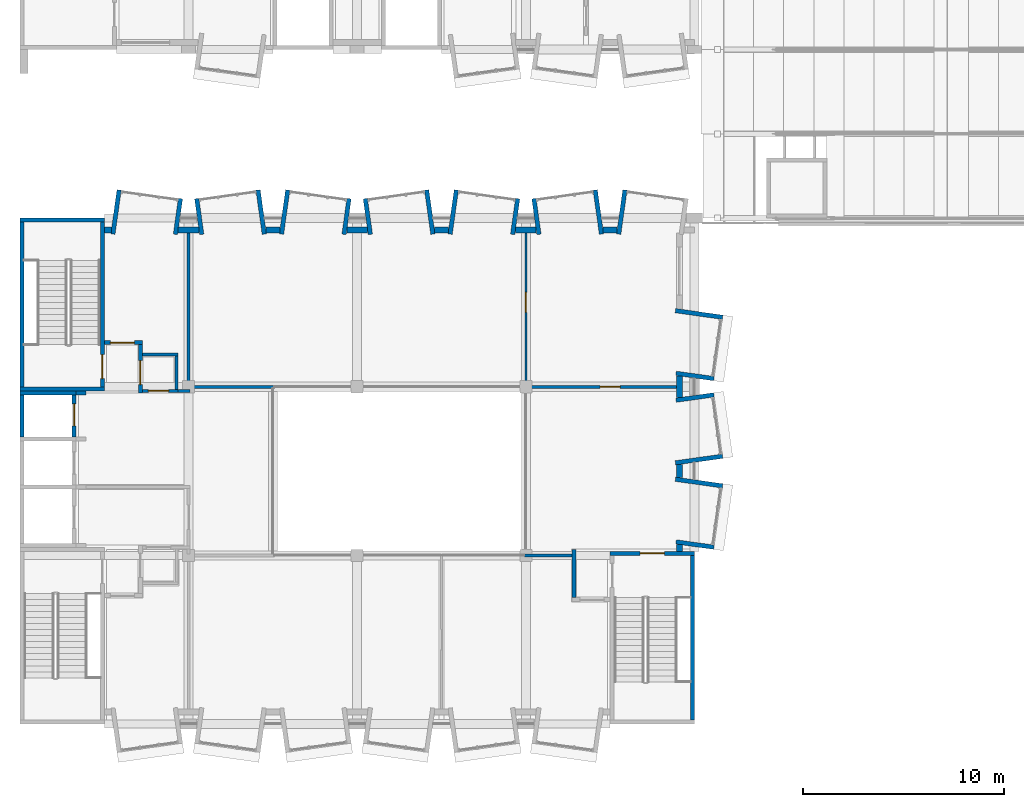
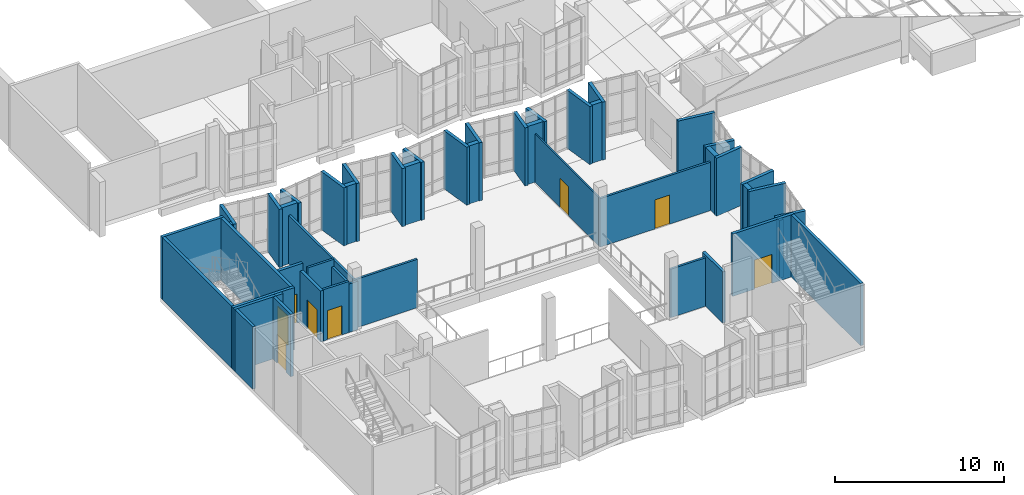
# One storey, part 81 of 95: 51 walls, 8 doors, 8 openings.
"""IFC4 building model written with IfcOpenShell, lengths in metres."""

from ifc_helpers import new_model, si_unit, direction, frame, frame_2d, origin, place, context, subcontext, project, spatial, rectangle, extrude, material, layer, layer_set, type_object, element, fill, save


model = new_model("IFC4")

# Units and contexts
model_context = context("Model", 3, precision=1e-05, world=origin(), true_north=direction((0.0, 1.0)))
body_context = subcontext(model_context, "Body", "Model", "MODEL_VIEW")
ifc_project = project(units=[si_unit("LENGTHUNIT", "METRE"), si_unit("AREAUNIT", "SQUARE_METRE"), si_unit("VOLUMEUNIT", "CUBIC_METRE"), si_unit("PLANEANGLEUNIT", "RADIAN"), si_unit("MASSUNIT", "GRAM", prefix="KILO")], contexts=[model_context])

# Site, building, storey
site_placement = place(None, origin())
site = spatial("IfcSite", under=ifc_project, at=site_placement, CompositionType="ELEMENT")
building_placement = place(site_placement, origin())
building = spatial("IfcBuilding", under=site, at=building_placement, Name="Kiln Court Media Centre", CompositionType="ELEMENT")
storey_placement = place(building_placement, frame((0.0, 0.0, 24.60009765625)))
storey = spatial("IfcBuildingStorey", under=building, at=storey_placement, Name="L05", CompositionType="ELEMENT", Elevation=24.60009765625)

# Walls
ifc_material_1 = material(Name="Concrete block masonry M10", Category="masonry")
ifc_layer_1 = layer(ifc_material_1, 0.14990234375)
ifc_layer_set_1 = layer_set([ifc_layer_1], Name="Block riser wall 150 EI 120")
wall_type_1 = type_object("IfcWallType", Name="Block riser wall 150 EI 120", PredefinedType="SOLIDWALL", material=ifc_layer_set_1)
wall_1_placement = place(storey_placement, frame((7.875, 16.60009765625, 0.0), z_axis=(0.0, 0.0, 1.0), x_axis=(1.0, 0.0, 0.0)))
element("IfcWall", 1, at=wall_1_placement, inside=storey, type_object=wall_type_1, Name="L05 block riser wall", PredefinedType="SOLIDWALL", context=body_context, shape_type="SweptSolid", body=[
    extrude(rectangle(XDim=0.60009765625, YDim=0.14990234375, at=frame_2d((0.300048828125, 0.0))), origin(), (0.0, 0.0, 1.0), 3.5),
])
wall_2_placement = place(storey_placement, frame((6.10009765625, 18.39990234375, 0.0), z_axis=(0.0, 0.0, 1.0), x_axis=(1.0, 0.0, 0.0)))
element("IfcWall", 2, at=wall_2_placement, inside=storey, type_object=wall_type_1, Name="L05 block riser wall", PredefinedType="SOLIDWALL", context=body_context, shape_type="SweptSolid", body=[
    extrude(rectangle(XDim=1.77490234375, YDim=0.14990234375, at=frame_2d((0.887451171875, 0.0))), origin(), (0.0, 0.0, 1.0), 4.199951171875),
])
wall_3_placement = place(storey_placement, frame((7.800048828125, 16.675048828125, 0.0), z_axis=(0.0, 0.0, 1.0), x_axis=(0.0, 1.0, 0.0)))
element("IfcWall", 3, at=wall_3_placement, inside=storey, type_object=wall_type_1, Name="L05 block riser wall", PredefinedType="SOLIDWALL", context=body_context, shape_type="SweptSolid", body=[
    extrude(rectangle(XDim=1.64990234375, YDim=0.14990234375, at=frame_2d((0.824951171875, 0.0))), origin(), (0.0, 0.0, 1.0), 3.699951171875),
])
wall_4_placement = place(storey_placement, frame((8.39990234375, 16.875, 0.0), z_axis=(0.0, 0.0, 1.0), x_axis=(0.0, 1.0, 0.0)))
element("IfcWall", 4, at=wall_4_placement, inside=storey, type_object=wall_type_1, Name="L05 block riser wall", PredefinedType="SOLIDWALL", context=body_context, shape_type="SweptSolid", body=[
    extrude(rectangle(XDim=7.574951171875, YDim=0.14990234375, at=frame_2d((3.78759765625, 0.0))), origin(), (0.0, 0.0, 1.0), 3.5),
])

# Wall, opening, door
ifc_material_2 = material(Name="Concrete block masonry M10", Category="masonry")
ifc_layer_2 = layer(ifc_material_2, 0.199951171875)
ifc_layer_set_2 = layer_set([ifc_layer_2], Name="Block vestibule wall 200 EI 240")
wall_type_2 = type_object("IfcWallType", Name="Block vestibule wall 200 EI 240", PredefinedType="SOLIDWALL", material=ifc_layer_set_2)
wall_5_placement = place(storey_placement, frame((4.2001953125, 19.0, 0.0), z_axis=(0.0, 0.0, 1.0), x_axis=(1.0, 0.0, 0.0)))
wall_5 = element("IfcWall", 5, at=wall_5_placement, inside=storey, type_object=wall_type_2, Name="L05 block vestibule wall", PredefinedType="SOLIDWALL", context=body_context, shape_type="SweptSolid", body=[
    extrude(rectangle(XDim=1.89990234375, YDim=0.199951171875, at=frame_2d((0.949951171875, 0.0))), origin(), (0.0, 0.0, 1.0), 4.199951171875),
])
opening_1_placement = place(wall_5_placement, frame((0.2998046875, 0.0, 0.0)))
opening_1 = element("IfcOpeningElement", 6, at=opening_1_placement, cuts=wall_5, Name="Opening D5014", PredefinedType="OPENING", context=body_context, shape_type="SweptSolid", body=[
    extrude(rectangle(XDim=1.199951171875, YDim=2.10009765625, at=frame_2d((0.60009765625, 1.050048828125))), frame((0.0, 0.10986328125, 0.0), z_axis=(0.0, -1.0, 0.0), x_axis=(1.0, 0.0, 0.0)), (0.0, 0.0, 1.0), 0.219970703125),
])
ifc_material_3 = material(Name="Steel S275", Category="steel")
door_type_1 = type_object("IfcDoorType", Name="Steel vestibule door 1200 x 2100 FD180", OperationType="SINGLE_SWING_LEFT", PredefinedType="DOOR", material=ifc_material_3)
door_1_placement = place(opening_1_placement, origin())
door_1 = element("IfcDoor", 7, at=door_1_placement, inside=storey, type_object=door_type_1, Name="Cleaners' Store and Riser / Stair 2 Vestibule", OperationType="SINGLE_SWING_LEFT", OverallHeight=2.10009765625, OverallWidth=1.199951171875, PredefinedType="DOOR", context=body_context, shape_type="SweptSolid", body=[
    extrude(rectangle(XDim=1.199951171875, YDim=2.10009765625, at=frame_2d((0.60009765625, 1.050048828125))), frame((0.0, 0.02490234375, 0.0), z_axis=(0.0, -1.0, 0.0), x_axis=(1.0, 0.0, 0.0)), (0.0, 0.0, 1.0), 0.050048828125),
])
fill(opening_1, door_1)

wall_6_placement = place(storey_placement, frame((6.0, 16.5, 0.0), z_axis=(0.0, 0.0, 1.0), x_axis=(0.0, 1.0, 0.0)))
wall_6 = element("IfcWall", 8, at=wall_6_placement, inside=storey, type_object=wall_type_2, Name="L05 block vestibule wall", PredefinedType="SOLIDWALL", context=body_context, shape_type="SweptSolid", body=[
    extrude(rectangle(XDim=2.39990234375, YDim=0.199951171875, at=frame_2d((1.199951171875, 0.0))), origin(), (0.0, 0.0, 1.0), 3.699951171875),
])
opening_2_placement = place(wall_6_placement, frame((0.39990234375, 0.0, 0.0)))
opening_2 = element("IfcOpeningElement", 9, at=opening_2_placement, cuts=wall_6, Name="Opening D5015", PredefinedType="OPENING", context=body_context, shape_type="SweptSolid", body=[
    extrude(rectangle(XDim=1.199951171875, YDim=2.10009765625, at=frame_2d((0.60009765625, 1.050048828125))), frame((0.0, 0.10986328125, 0.0), z_axis=(0.0, -1.0, 0.0), x_axis=(1.0, 0.0, 0.0)), (0.0, 0.0, 1.0), 0.219970703125),
])
door_2_placement = place(opening_2_placement, origin())
door_2 = element("IfcDoor", 10, at=door_2_placement, inside=storey, type_object=door_type_1, Name="Stair 2 Vestibule / Wheelchair Refuge", OperationType="SINGLE_SWING_RIGHT", OverallHeight=2.10009765625, OverallWidth=1.199951171875, PredefinedType="DOOR", context=body_context, shape_type="SweptSolid", body=[
    extrude(rectangle(XDim=1.199951171875, YDim=2.10009765625, at=frame_2d((0.60009765625, 1.050048828125))), frame((0.0, 0.02490234375, 0.0), z_axis=(0.0, -1.0, 0.0), x_axis=(1.0, 0.0, 0.0)), (0.0, 0.0, 1.0), 0.050048828125),
])
fill(opening_2, door_2)

# Walls
wall_7_placement = place(storey_placement, frame((27.60009765625, 6.300048828125, 0.0), z_axis=(0.0, 0.0, 1.0), x_axis=(0.0, 1.0, 0.0)))
element("IfcWall", 11, at=wall_7_placement, inside=storey, type_object=wall_type_2, Name="L05 block vestibule wall", PredefinedType="SOLIDWALL", context=body_context, shape_type="SweptSolid", body=[
    extrude(rectangle(XDim=2.39990234375, YDim=0.199951171875, at=frame_2d((1.199951171875, 0.0))), origin(), (0.0, 0.0, 1.0), 3.699951171875),
])
ifc_material_4 = material(Name="Brick masonry facing leaf with RC backing", Category="masonry")
ifc_layer_3 = layer(ifc_material_4, 0.215087890625)
ifc_layer_set_3 = layer_set([ifc_layer_3], Name="Brick masonry bay cheek wall 215")
wall_type_3 = type_object("IfcWallType", Name="Brick masonry bay cheek wall 215", PredefinedType="SOLIDWALL", material=ifc_layer_set_3)
wall_8_placement = place(storey_placement, frame((32.68505859375, 9.07080078125, 0.0), z_axis=(0.0, 0.0, 1.0), x_axis=(0.990269539441, -0.139162635989, 0.0)))
element("IfcWall", 12, at=wall_8_placement, inside=storey, type_object=wall_type_3, Name="BAY V6A-E-L05-03 cheek L", PredefinedType="SOLIDWALL", context=body_context, shape_type="SweptSolid", body=[
    extrude(rectangle(XDim=1.906982421875, YDim=0.215087890625, at=frame_2d((0.95361328125, 0.0))), origin(), (0.0, 0.0, 1.0), 4.199951171875),
])
wall_9_placement = place(storey_placement, frame((32.655029296875, 12.1904296875, 0.0), z_axis=(0.0, 0.0, 1.0), x_axis=(0.990276315141, -0.139114412161, 0.0)))
element("IfcWall", 13, at=wall_9_placement, inside=storey, type_object=wall_type_3, Name="BAY V6A-E-L05-03 cheek R", PredefinedType="SOLIDWALL", context=body_context, shape_type="SweptSolid", body=[
    extrude(rectangle(XDim=2.370849609375, YDim=0.215087890625, at=frame_2d((1.185546875, 0.0))), origin(), (0.0, 0.0, 1.0), 4.199951171875),
])
wall_10_placement = place(storey_placement, frame((32.655029296875, 13.009521484375, 0.0), z_axis=(0.0, 0.0, 1.0), x_axis=(0.990262124675, 0.139215388641, 0.0)))
element("IfcWall", 14, at=wall_10_placement, inside=storey, type_object=wall_type_3, Name="BAY V6A-E-L05-04 cheek L", PredefinedType="SOLIDWALL", context=body_context, shape_type="SweptSolid", body=[
    extrude(rectangle(XDim=2.37109375, YDim=0.215087890625, at=frame_2d((1.185546875, 0.0))), origin(), (0.0, 0.0, 1.0), 4.199951171875),
])
for number, where, z_axis, x_axis, name in (
    (15, (32.68505859375, 16.129150390625, 0.0), (0.0, 0.0, 1.0), (0.990269539441, 0.139162635989, 0.0), "BAY V6A-E-L05-04 cheek R"),
    (16, (32.68505859375, 17.470947265625, 0.0), (0.0, 0.0, 1.0), (0.990269539441, -0.139162635989, 0.0), "BAY V6A-E-L05-05 cheek L"),
):
    element("IfcWall", number, at=place(storey_placement, frame(where, z_axis=z_axis, x_axis=x_axis)), inside=storey, type_object=wall_type_3, Name=name, PredefinedType="SOLIDWALL", context=body_context, shape_type="SweptSolid", body=[
        extrude(rectangle(XDim=1.906982421875, YDim=0.215087890625, at=frame_2d((0.95361328125, 0.0))), origin(), (0.0, 0.0, 1.0), 4.199951171875),
    ])
wall_11_placement = place(storey_placement, frame((32.655029296875, 20.590576171875, 0.0), z_axis=(0.0, 0.0, 1.0), x_axis=(0.990262124675, -0.139215388641, 0.0)))
element("IfcWall", 17, at=wall_11_placement, inside=storey, type_object=wall_type_3, Name="BAY V6A-E-L05-05 cheek R", PredefinedType="SOLIDWALL", context=body_context, shape_type="SweptSolid", body=[
    extrude(rectangle(XDim=2.37109375, YDim=0.215087890625, at=frame_2d((1.185546875, 0.0))), origin(), (0.0, 0.0, 1.0), 4.199951171875),
])
wall_12_placement = place(storey_placement, frame((4.630615234375, 24.405029296875, 0.0), z_axis=(0.0, 0.0, 1.0), x_axis=(0.139141913905, 0.990272451295, 0.0)))
element("IfcWall", 18, at=wall_12_placement, inside=storey, type_object=wall_type_3, Name="BAY V6A-N-L05-30 cheek L", PredefinedType="SOLIDWALL", context=body_context, shape_type="SweptSolid", body=[
    extrude(rectangle(XDim=2.219482421875, YDim=0.215087890625, at=frame_2d((1.10986328125, 0.0))), origin(), (0.0, 0.0, 1.0), 4.199951171875),
])
for number, where, z_axis, x_axis, name in (
    (19, (7.743896484375, 24.39111328125, 0.0), (0.0, 0.0, 1.0), (0.139161311926, 0.990269725511, 0.0), "BAY V6A-N-L05-30 cheek R"),
    (20, (9.055908203125, 24.39111328125, 0.0), (0.0, 0.0, 1.0), (-0.139161311926, 0.990269725511, 0.0), "BAY V6A-N-L05-31 cheek L"),
):
    element("IfcWall", number, at=place(storey_placement, frame(where, z_axis=z_axis, x_axis=x_axis)), inside=storey, type_object=wall_type_3, Name=name, PredefinedType="SOLIDWALL", context=body_context, shape_type="SweptSolid", body=[
        extrude(rectangle(XDim=1.800048828125, YDim=0.215087890625, at=frame_2d((0.89990234375, 0.0))), origin(), (0.0, 0.0, 1.0), 4.199951171875),
    ])
wall_13_placement = place(storey_placement, frame((12.16943359375, 24.405029296875, 0.0), z_axis=(0.0, 0.0, 1.0), x_axis=(-0.139141913905, 0.990272451295, 0.0)))
element("IfcWall", 21, at=wall_13_placement, inside=storey, type_object=wall_type_3, Name="BAY V6A-N-L05-31 cheek R", PredefinedType="SOLIDWALL", context=body_context, shape_type="SweptSolid", body=[
    extrude(rectangle(XDim=2.219482421875, YDim=0.215087890625, at=frame_2d((1.10986328125, 0.0))), origin(), (0.0, 0.0, 1.0), 4.199951171875),
])
wall_14_placement = place(storey_placement, frame((13.030517578125, 24.405029296875, 0.0), z_axis=(0.0, 0.0, 1.0), x_axis=(0.139249775508, 0.99025728981, 0.0)))
element("IfcWall", 22, at=wall_14_placement, inside=storey, type_object=wall_type_3, Name="BAY V6A-N-L05-32 cheek L", PredefinedType="SOLIDWALL", context=body_context, shape_type="SweptSolid", body=[
    extrude(rectangle(XDim=2.2197265625, YDim=0.215087890625, at=frame_2d((1.10986328125, 0.0))), origin(), (0.0, 0.0, 1.0), 4.199951171875),
])
for number, where, z_axis, x_axis, name in (
    (23, (16.14404296875, 24.39111328125, 0.0), (0.0, 0.0, 1.0), (0.139161311926, 0.990269725511, 0.0), "BAY V6A-N-L05-32 cheek R"),
    (24, (17.4560546875, 24.39111328125, 0.0), (0.0, 0.0, 1.0), (-0.139161311926, 0.990269725511, 0.0), "BAY V6A-N-L05-33 cheek L"),
):
    element("IfcWall", number, at=place(storey_placement, frame(where, z_axis=z_axis, x_axis=x_axis)), inside=storey, type_object=wall_type_3, Name=name, PredefinedType="SOLIDWALL", context=body_context, shape_type="SweptSolid", body=[
        extrude(rectangle(XDim=1.800048828125, YDim=0.215087890625, at=frame_2d((0.89990234375, 0.0))), origin(), (0.0, 0.0, 1.0), 4.199951171875),
    ])
for number, where, z_axis, x_axis, name in (
    (25, (20.5693359375, 24.405029296875, 0.0), (0.0, 0.0, 1.0), (-0.139141913905, 0.990272451295, 0.0), "BAY V6A-N-L05-33 cheek R"),
    (26, (21.4306640625, 24.405029296875, 0.0), (0.0, 0.0, 1.0), (0.139141913905, 0.990272451295, 0.0), "BAY V6A-N-L05-34 cheek L"),
):
    element("IfcWall", number, at=place(storey_placement, frame(where, z_axis=z_axis, x_axis=x_axis)), inside=storey, type_object=wall_type_3, Name=name, PredefinedType="SOLIDWALL", context=body_context, shape_type="SweptSolid", body=[
        extrude(rectangle(XDim=2.219482421875, YDim=0.215087890625, at=frame_2d((1.10986328125, 0.0))), origin(), (0.0, 0.0, 1.0), 4.199951171875),
    ])
for number, where, z_axis, x_axis, name in (
    (27, (24.5439453125, 24.39111328125, 0.0), (0.0, 0.0, 1.0), (0.139161311926, 0.990269725511, 0.0), "BAY V6A-N-L05-34 cheek R"),
    (28, (25.85595703125, 24.39111328125, 0.0), (0.0, 0.0, 1.0), (-0.139161311926, 0.990269725511, 0.0), "BAY V6A-N-L05-35 cheek L"),
):
    element("IfcWall", number, at=place(storey_placement, frame(where, z_axis=z_axis, x_axis=x_axis)), inside=storey, type_object=wall_type_3, Name=name, PredefinedType="SOLIDWALL", context=body_context, shape_type="SweptSolid", body=[
        extrude(rectangle(XDim=1.800048828125, YDim=0.215087890625, at=frame_2d((0.89990234375, 0.0))), origin(), (0.0, 0.0, 1.0), 4.199951171875),
    ])
wall_15_placement = place(storey_placement, frame((28.969482421875, 24.405029296875, 0.0), z_axis=(0.0, 0.0, 1.0), x_axis=(-0.139249775508, 0.99025728981, 0.0)))
element("IfcWall", 29, at=wall_15_placement, inside=storey, type_object=wall_type_3, Name="BAY V6A-N-L05-35 cheek R", PredefinedType="SOLIDWALL", context=body_context, shape_type="SweptSolid", body=[
    extrude(rectangle(XDim=2.2197265625, YDim=0.215087890625, at=frame_2d((1.10986328125, 0.0))), origin(), (0.0, 0.0, 1.0), 4.199951171875),
])
wall_16_placement = place(storey_placement, frame((29.83056640625, 24.405029296875, 0.0), z_axis=(0.0, 0.0, 1.0), x_axis=(0.139141913905, 0.990272451295, 0.0)))
element("IfcWall", 30, at=wall_16_placement, inside=storey, type_object=wall_type_3, Name="BAY V6A-N-L05-36 cheek L", PredefinedType="SOLIDWALL", context=body_context, shape_type="SweptSolid", body=[
    extrude(rectangle(XDim=2.219482421875, YDim=0.215087890625, at=frame_2d((1.10986328125, 0.0))), origin(), (0.0, 0.0, 1.0), 4.199951171875),
])
ifc_material_5 = material(Name="Brick masonry facing leaf with RC backing", Category="masonry")
ifc_layer_4 = layer(ifc_material_5, 0.300048828125)
ifc_layer_set_4 = layer_set([ifc_layer_4], Name="Brick masonry cavity wall 300")
wall_type_4 = type_object("IfcWallType", Name="Brick masonry cavity wall 300", PredefinedType="SOLIDWALL", material=ifc_layer_set_4)
wall_17_placement = place(storey_placement, frame((32.85009765625, 8.939208984375, 0.0), z_axis=(0.0, 0.0, 1.0), x_axis=(0.0, -1.0, 0.0)))
element("IfcWall", 31, at=wall_17_placement, inside=storey, type_object=wall_type_4, Name="V6A-E facade L05 3014", PredefinedType="SOLIDWALL", context=body_context, shape_type="SweptSolid", body=[
    extrude(rectangle(XDim=0.339111328125, YDim=0.300048828125, at=frame_2d((0.16943359375, 0.0))), origin(), (0.0, 0.0, 1.0), 4.199951171875),
])
wall_18_placement = place(storey_placement, frame((32.85009765625, 12.928466796875, 0.0), z_axis=(0.0, 0.0, 1.0), x_axis=(0.0, -1.0, 0.0)))
element("IfcWall", 32, at=wall_18_placement, inside=storey, type_object=wall_type_4, Name="V6A-E facade L05 3015", PredefinedType="SOLIDWALL", context=body_context, shape_type="SweptSolid", body=[
    extrude(rectangle(XDim=0.656982421875, YDim=0.300048828125, at=frame_2d((0.32861328125, 0.0))), origin(), (0.0, 0.0, 1.0), 4.199951171875),
])
wall_19_placement = place(storey_placement, frame((32.85009765625, 17.339111328125, 0.0), z_axis=(0.0, 0.0, 1.0), x_axis=(0.0, -1.0, 0.0)))
element("IfcWall", 33, at=wall_19_placement, inside=storey, type_object=wall_type_4, Name="V6A-E facade L05 3016", PredefinedType="SOLIDWALL", context=body_context, shape_type="SweptSolid", body=[
    extrude(rectangle(XDim=1.078369140625, YDim=0.300048828125, at=frame_2d((0.5390625, 0.0))), origin(), (0.0, 0.0, 1.0), 4.199951171875),
])
wall_20_placement = place(storey_placement, frame((4.2001953125, 24.60009765625, 0.0), z_axis=(0.0, 0.0, 1.0), x_axis=(1.0, 0.0, 0.0)))
element("IfcWall", 34, at=wall_20_placement, inside=storey, type_object=wall_type_4, Name="V6A-N facade L05 3032", PredefinedType="SOLIDWALL", context=body_context, shape_type="SweptSolid", body=[
    extrude(rectangle(XDim=0.349365234375, YDim=0.300048828125, at=frame_2d((0.1748046875, 0.0))), origin(), (0.0, 0.0, 1.0), 4.199951171875),
])
wall_21_placement = place(storey_placement, frame((7.8818359375, 24.60009765625, 0.0), z_axis=(0.0, 0.0, 1.0), x_axis=(1.0, 0.0, 0.0)))
element("IfcWall", 35, at=wall_21_placement, inside=storey, type_object=wall_type_4, Name="V6A-N facade L05 3033", PredefinedType="SOLIDWALL", context=body_context, shape_type="SweptSolid", body=[
    extrude(rectangle(XDim=1.036376953125, YDim=0.300048828125, at=frame_2d((0.51806640625, 0.0))), origin(), (0.0, 0.0, 1.0), 4.199951171875),
])
wall_22_placement = place(storey_placement, frame((12.25048828125, 24.60009765625, 0.0), z_axis=(0.0, 0.0, 1.0), x_axis=(1.0, 0.0, 0.0)))
element("IfcWall", 36, at=wall_22_placement, inside=storey, type_object=wall_type_4, Name="V6A-N facade L05 3034", PredefinedType="SOLIDWALL", context=body_context, shape_type="SweptSolid", body=[
    extrude(rectangle(XDim=0.698974609375, YDim=0.300048828125, at=frame_2d((0.349609375, 0.0))), origin(), (0.0, 0.0, 1.0), 4.199951171875),
])
wall_23_placement = place(storey_placement, frame((16.281982421875, 24.60009765625, 0.0), z_axis=(0.0, 0.0, 1.0), x_axis=(1.0, 0.0, 0.0)))
element("IfcWall", 37, at=wall_23_placement, inside=storey, type_object=wall_type_4, Name="V6A-N facade L05 3035", PredefinedType="SOLIDWALL", context=body_context, shape_type="SweptSolid", body=[
    extrude(rectangle(XDim=1.0361328125, YDim=0.300048828125, at=frame_2d((0.51806640625, 0.0))), origin(), (0.0, 0.0, 1.0), 4.199951171875),
])
wall_24_placement = place(storey_placement, frame((20.650390625, 24.60009765625, 0.0), z_axis=(0.0, 0.0, 1.0), x_axis=(1.0, 0.0, 0.0)))
element("IfcWall", 38, at=wall_24_placement, inside=storey, type_object=wall_type_4, Name="V6A-N facade L05 3036", PredefinedType="SOLIDWALL", context=body_context, shape_type="SweptSolid", body=[
    extrude(rectangle(XDim=0.69921875, YDim=0.300048828125, at=frame_2d((0.349609375, 0.0))), origin(), (0.0, 0.0, 1.0), 4.199951171875),
])
wall_25_placement = place(storey_placement, frame((24.681884765625, 24.60009765625, 0.0), z_axis=(0.0, 0.0, 1.0), x_axis=(1.0, 0.0, 0.0)))
element("IfcWall", 39, at=wall_25_placement, inside=storey, type_object=wall_type_4, Name="V6A-N facade L05 3037", PredefinedType="SOLIDWALL", context=body_context, shape_type="SweptSolid", body=[
    extrude(rectangle(XDim=1.0361328125, YDim=0.300048828125, at=frame_2d((0.51806640625, 0.0))), origin(), (0.0, 0.0, 1.0), 4.199951171875),
])
wall_26_placement = place(storey_placement, frame((29.050537109375, 24.60009765625, 0.0), z_axis=(0.0, 0.0, 1.0), x_axis=(1.0, 0.0, 0.0)))
element("IfcWall", 40, at=wall_26_placement, inside=storey, type_object=wall_type_4, Name="V6A-N facade L05 3038", PredefinedType="SOLIDWALL", context=body_context, shape_type="SweptSolid", body=[
    extrude(rectangle(XDim=0.698974609375, YDim=0.300048828125, at=frame_2d((0.349609375, 0.0))), origin(), (0.0, 0.0, 1.0), 4.199951171875),
])
ifc_material_6 = material(Name="Concrete C40/50", Category="concrete")
ifc_layer_5 = layer(ifc_material_6, 0.199951171875)
ifc_layer_set_5 = layer_set([ifc_layer_5], Name="Concrete C40/50 shear wall 200")
wall_type_5 = type_object("IfcWallType", Name="Concrete C40/50 shear wall 200", PredefinedType="SHEAR", material=ifc_layer_set_5)
for number, where, z_axis, x_axis, name in (
    (41, (4.199951171875, 16.699951171875, 0.0), (0.0, 0.0, 1.0), (-1.0, 0.0, 0.0), "L05-W-1004"),
    (42, (0.00048828125, 25.10009765625, 0.0), (0.0, 0.0, 1.0), (1.0, 0.0, 0.0), "L05-W-1005"),
):
    element("IfcWall", number, at=place(storey_placement, frame(where, z_axis=z_axis, x_axis=x_axis)), inside=storey, type_object=wall_type_5, Name=name, PredefinedType="SHEAR", context=body_context, shape_type="SweptSolid", body=[
        extrude(rectangle(XDim=4.199462890625, YDim=0.199951171875, at=frame_2d((2.099609375, 0.0))), origin(), (0.0, 0.0, 1.0), 4.5),
    ])
wall_27_placement = place(storey_placement, frame((0.100341796875, 16.800048828125, 0.0), z_axis=(0.0, 0.0, 1.0), x_axis=(0.0, 1.0, 0.0)))
element("IfcWall", 43, at=wall_27_placement, inside=storey, type_object=wall_type_5, Name="L05-W-1006", PredefinedType="SHEAR", context=body_context, shape_type="SweptSolid", body=[
    extrude(rectangle(XDim=8.199951171875, YDim=0.199951171875, at=frame_2d((4.10009765625, 0.0))), origin(), (0.0, 0.0, 1.0), 4.5),
])

# Wall, opening, door
wall_28_placement = place(storey_placement, frame((4.10009765625, 25.0, 0.0), z_axis=(0.0, 0.0, 1.0), x_axis=(0.0, -1.0, 0.0)))
wall_28 = element("IfcWall", 44, at=wall_28_placement, inside=storey, type_object=wall_type_5, Name="L05-W-1007", PredefinedType="SHEAR", context=body_context, shape_type="SweptSolid", body=[
    extrude(rectangle(XDim=8.199951171875, YDim=0.199951171875, at=frame_2d((4.10009765625, 0.0))), origin(), (0.0, 0.0, 1.0), 4.5),
])
opening_3_placement = place(wall_28_placement, frame((6.60009765625, 0.0, 0.0)))
opening_3 = element("IfcOpeningElement", 45, at=opening_3_placement, cuts=wall_28, Name="Opening D5006", PredefinedType="OPENING", context=body_context, shape_type="SweptSolid", body=[
    extrude(rectangle(XDim=1.199951171875, YDim=2.10009765625, at=frame_2d((0.60009765625, 1.050048828125))), frame((0.0, 0.10986328125, 0.0), z_axis=(0.0, -1.0, 0.0), x_axis=(1.0, 0.0, 0.0)), (0.0, 0.0, 1.0), 0.219970703125),
])
ifc_material_7 = material(Name="Steel S275", Category="steel")
door_type_2 = type_object("IfcDoorType", Name="Steel stair door 1200 x 2100 FD180", OperationType="SINGLE_SWING_LEFT", PredefinedType="DOOR", material=ifc_material_7)
door_3_placement = place(opening_3_placement, origin())
door_3 = element("IfcDoor", 46, at=door_3_placement, inside=storey, type_object=door_type_2, Name="Stair 2 / Stair 2 Vestibule", OperationType="SINGLE_SWING_RIGHT", OverallHeight=2.10009765625, OverallWidth=1.199951171875, PredefinedType="DOOR", context=body_context, shape_type="SweptSolid", body=[
    extrude(rectangle(XDim=1.199951171875, YDim=2.10009765625, at=frame_2d((0.60009765625, 1.050048828125))), frame((0.0, 0.02490234375, 0.0), z_axis=(0.0, -1.0, 0.0), x_axis=(1.0, 0.0, 0.0)), (0.0, 0.0, 1.0), 0.050048828125),
])
fill(opening_3, door_3)

wall_29_placement = place(storey_placement, frame((29.39990234375, 8.5, 0.0), z_axis=(0.0, 0.0, 1.0), x_axis=(1.0, 0.0, 0.0)))
wall_29 = element("IfcWall", 47, at=wall_29_placement, inside=storey, type_object=wall_type_5, Name="L05-W-1009", PredefinedType="SHEAR", context=body_context, shape_type="SweptSolid", body=[
    extrude(rectangle(XDim=4.2001953125, YDim=0.199951171875, at=frame_2d((2.10009765625, 0.0))), origin(), (0.0, 0.0, 1.0), 4.5),
])
opening_4_placement = place(wall_29_placement, frame((1.5, 0.0, 0.0)))
opening_4 = element("IfcOpeningElement", 48, at=opening_4_placement, cuts=wall_29, Name="Opening D5005", PredefinedType="OPENING", context=body_context, shape_type="SweptSolid", body=[
    extrude(rectangle(XDim=1.199951171875, YDim=2.10009765625, at=frame_2d((0.60009765625, 1.050048828125))), frame((0.0, 0.10986328125, 0.0), z_axis=(0.0, -1.0, 0.0), x_axis=(1.0, 0.0, 0.0)), (0.0, 0.0, 1.0), 0.219970703125),
])
door_4_placement = place(opening_4_placement, origin())
door_4 = element("IfcDoor", 49, at=door_4_placement, inside=storey, type_object=door_type_2, Name="Stair 3 / East Lobby", OperationType="SINGLE_SWING_RIGHT", OverallHeight=2.10009765625, OverallWidth=1.199951171875, PredefinedType="DOOR", context=body_context, shape_type="SweptSolid", body=[
    extrude(rectangle(XDim=1.199951171875, YDim=2.10009765625, at=frame_2d((0.60009765625, 1.050048828125))), frame((0.0, 0.02490234375, 0.0), z_axis=(0.0, -1.0, 0.0), x_axis=(1.0, 0.0, 0.0)), (0.0, 0.0, 1.0), 0.050048828125),
])
fill(opening_4, door_4)

# Walls
wall_30_placement = place(storey_placement, frame((33.5, 8.39990234375, 0.0), z_axis=(0.0, 0.0, 1.0), x_axis=(0.0, -1.0, 0.0)))
element("IfcWall", 50, at=wall_30_placement, inside=storey, type_object=wall_type_5, Name="L05-W-1011", PredefinedType="SHEAR", context=body_context, shape_type="SweptSolid", body=[
    extrude(rectangle(XDim=8.199951171875, YDim=0.199951171875, at=frame_2d((4.10009765625, 0.0))), origin(), (0.0, 0.0, 1.0), 4.5),
])
wall_31_placement = place(storey_placement, frame((0.00048828125, 16.5, 0.0), z_axis=(0.0, 0.0, 1.0), x_axis=(1.0, 0.0, 0.0)))
element("IfcWall", 51, at=wall_31_placement, inside=storey, type_object=wall_type_5, Name="L05-W-1031", PredefinedType="SHEAR", context=body_context, shape_type="SweptSolid", body=[
    extrude(rectangle(XDim=2.799560546875, YDim=0.199951171875, at=frame_2d((1.39990234375, 0.0))), origin(), (0.0, 0.0, 1.0), 4.5),
])
wall_32_placement = place(storey_placement, frame((0.100341796875, 14.300048828125, 0.0), z_axis=(0.0, 0.0, 1.0), x_axis=(0.0, 1.0, 0.0)))
element("IfcWall", 52, at=wall_32_placement, inside=storey, type_object=wall_type_5, Name="L05-W-1032", PredefinedType="SHEAR", context=body_context, shape_type="SweptSolid", body=[
    extrude(rectangle(XDim=2.099853515625, YDim=0.199951171875, at=frame_2d((1.0498046875, 0.0))), origin(), (0.0, 0.0, 1.0), 4.5),
])

# Wall, opening, door
wall_33_placement = place(storey_placement, frame((2.699951171875, 16.39990234375, 0.0), z_axis=(0.0, 0.0, 1.0), x_axis=(0.0, -1.0, 0.0)))
wall_33 = element("IfcWall", 53, at=wall_33_placement, inside=storey, type_object=wall_type_5, Name="L05-W-1033", PredefinedType="SHEAR", context=body_context, shape_type="SweptSolid", body=[
    extrude(rectangle(XDim=2.099853515625, YDim=0.199951171875, at=frame_2d((1.0498046875, 0.0))), origin(), (0.0, 0.0, 1.0), 4.5),
])
opening_5_placement = place(wall_33_placement, frame((0.449951171875, 0.0, 0.0)))
opening_5 = element("IfcOpeningElement", 54, at=opening_5_placement, cuts=wall_33, Name="Opening LD503", PredefinedType="OPENING", context=body_context, shape_type="SweptSolid", body=[
    extrude(rectangle(XDim=1.10009765625, YDim=2.10009765625, at=frame_2d((0.550048828125, 1.050048828125))), frame((0.0, 0.10986328125, 0.0), z_axis=(0.0, -1.0, 0.0), x_axis=(1.0, 0.0, 0.0)), (0.0, 0.0, 1.0), 0.219970703125),
])
ifc_material_8 = material(Name="Stainless steel", Category="steel")
door_type_3 = type_object("IfcDoorType", Name="Lift landing door 1100 x 2100 FD120", OperationType="SLIDING_TO_LEFT", PredefinedType="DOOR", material=ifc_material_8)
door_5_placement = place(opening_5_placement, origin())
door_5 = element("IfcDoor", 55, at=door_5_placement, inside=storey, type_object=door_type_3, Name="LF-03 landing door L05", OperationType="SLIDING_TO_LEFT", OverallHeight=2.10009765625, OverallWidth=1.10009765625, PredefinedType="DOOR", context=body_context, shape_type="SweptSolid", body=[
    extrude(rectangle(XDim=1.10009765625, YDim=2.10009765625, at=frame_2d((0.550048828125, 1.050048828125))), frame((0.0, 0.02490234375, 0.0), z_axis=(0.0, -1.0, 0.0), x_axis=(1.0, 0.0, 0.0)), (0.0, 0.0, 1.0), 0.050048828125),
])
fill(opening_5, door_5)

# Walls
wall_34_placement = place(storey_placement, frame((2.800048828125, 16.5, 0.0), z_axis=(0.0, 0.0, 1.0), x_axis=(1.0, 0.0, 0.0)))
element("IfcWall", 56, at=wall_34_placement, inside=storey, type_object=wall_type_5, Name="L05-W-1065", PredefinedType="SHEAR", context=body_context, shape_type="SweptSolid", body=[
    extrude(rectangle(XDim=0.5, YDim=0.199951171875, at=frame_2d((0.25, 0.0))), origin(), (0.0, 0.0, 1.0), 4.5),
])
ifc_material_9 = material(Name="Gypsum plasterboard", Category="gypsum")
ifc_layer_6 = layer(ifc_material_9, 0.14990234375)
ifc_layer_set_6 = layer_set([ifc_layer_6], Name="Gypsum corridor partition 150 EI 60")
wall_type_6 = type_object("IfcWallType", Name="Gypsum corridor partition 150 EI 60", PredefinedType="PARTITIONING", material=ifc_layer_set_6)
wall_35_placement = place(storey_placement, frame((25.125, 8.39990234375, 0.0), z_axis=(0.0, 0.0, 1.0), x_axis=(1.0, 0.0, 0.0)))
element("IfcWall", 57, at=wall_35_placement, inside=storey, type_object=wall_type_6, Name="L05 gypsum corridor partition", PredefinedType="PARTITIONING", context=body_context, shape_type="SweptSolid", body=[
    extrude(rectangle(XDim=2.375, YDim=0.14990234375, at=frame_2d((1.1875, 0.0))), origin(), (0.0, 0.0, 1.0), 3.5),
])

# Wall, opening, door
wall_36_placement = place(storey_placement, frame((6.10009765625, 16.60009765625, 0.0), z_axis=(0.0, 0.0, 1.0), x_axis=(1.0, 0.0, 0.0)))
wall_36 = element("IfcWall", 58, at=wall_36_placement, inside=storey, type_object=wall_type_6, Name="L05 gypsum corridor partition", PredefinedType="PARTITIONING", context=body_context, shape_type="SweptSolid", body=[
    extrude(rectangle(XDim=1.77490234375, YDim=0.14990234375, at=frame_2d((0.887451171875, 0.0))), origin(), (0.0, 0.0, 1.0), 3.699951171875),
])
opening_6_placement = place(wall_36_placement, frame((0.300048828125, 0.0, 0.0)))
opening_6 = element("IfcOpeningElement", 59, at=opening_6_placement, cuts=wall_36, Name="Opening D5020", PredefinedType="OPENING", context=body_context, shape_type="SweptSolid", body=[
    extrude(rectangle(XDim=1.0, YDim=2.10009765625, at=frame_2d((0.5, 1.050048828125))), frame((0.0, 0.0849609375, 0.0), z_axis=(0.0, -1.0, 0.0), x_axis=(1.0, 0.0, 0.0)), (0.0, 0.0, 1.0), 0.169921875),
])
ifc_material_10 = material(Name="Steel S275", Category="steel")
door_type_4 = type_object("IfcDoorType", Name="Steel corridor door 1000 x 2100 FD30S", OperationType="SINGLE_SWING_LEFT", PredefinedType="DOOR", material=ifc_material_10)
door_6_placement = place(opening_6_placement, origin())
door_6 = element("IfcDoor", 60, at=door_6_placement, inside=storey, type_object=door_type_4, Name="Passenger Lift Lobby / Wheelchair Refuge", OperationType="SINGLE_SWING_RIGHT", OverallHeight=2.10009765625, OverallWidth=1.0, PredefinedType="DOOR", context=body_context, shape_type="SweptSolid", body=[
    extrude(rectangle(XDim=1.0, YDim=2.10009765625, at=frame_2d((0.5, 1.050048828125))), frame((0.0, 0.02490234375, 0.0), z_axis=(0.0, -1.0, 0.0), x_axis=(1.0, 0.0, 0.0)), (0.0, 0.0, 1.0), 0.050048828125),
])
fill(opening_6, door_6)

# Wall
wall_37_placement = place(storey_placement, frame((8.324951171875, 16.800048828125, 0.0), z_axis=(0.0, 0.0, 1.0), x_axis=(1.0, 0.0, 0.0)))
element("IfcWall", 61, at=wall_37_placement, inside=storey, type_object=wall_type_6, Name="L05 gypsum corridor partition", PredefinedType="PARTITIONING", context=body_context, shape_type="SweptSolid", body=[
    extrude(rectangle(XDim=4.35009765625, YDim=0.14990234375, at=frame_2d((2.175048828125, 0.0))), origin(), (0.0, 0.0, 1.0), 3.5),
])

# Wall, opening, door
wall_38_placement = place(storey_placement, frame((25.125, 16.800048828125, 0.0), z_axis=(0.0, 0.0, 1.0), x_axis=(1.0, 0.0, 0.0)))
wall_38 = element("IfcWall", 62, at=wall_38_placement, inside=storey, type_object=wall_type_6, Name="L05 gypsum corridor partition", PredefinedType="PARTITIONING", context=body_context, shape_type="SweptSolid", body=[
    extrude(rectangle(XDim=7.574951171875, YDim=0.14990234375, at=frame_2d((3.78759765625, 0.0))), origin(), (0.0, 0.0, 1.0), 3.5),
])
opening_7_placement = place(wall_38_placement, frame((3.77490234375, 0.0, 0.0)))
opening_7 = element("IfcOpeningElement", 63, at=opening_7_placement, cuts=wall_38, Name="Opening D5013", PredefinedType="OPENING", context=body_context, shape_type="SweptSolid", body=[
    extrude(rectangle(XDim=1.0, YDim=2.10009765625, at=frame_2d((0.5, 1.050048828125))), frame((0.0, 0.0849609375, 0.0), z_axis=(0.0, -1.0, 0.0), x_axis=(1.0, 0.0, 0.0)), (0.0, 0.0, 1.0), 0.169921875),
])
door_7_placement = place(opening_7_placement, origin())
door_7 = element("IfcDoor", 64, at=door_7_placement, inside=storey, type_object=door_type_4, Name="East Lobby / Archive Reading Room", OperationType="SINGLE_SWING_LEFT", OverallHeight=2.10009765625, OverallWidth=1.0, PredefinedType="DOOR", context=body_context, shape_type="SweptSolid", body=[
    extrude(rectangle(XDim=1.0, YDim=2.10009765625, at=frame_2d((0.5, 1.050048828125))), frame((0.0, 0.02490234375, 0.0), z_axis=(0.0, -1.0, 0.0), x_axis=(1.0, 0.0, 0.0)), (0.0, 0.0, 1.0), 0.050048828125),
])
fill(opening_7, door_7)

ifc_material_11 = material(Name="Gypsum plasterboard", Category="gypsum")
ifc_layer_7 = layer(ifc_material_11, 0.10009765625)
ifc_layer_set_7 = layer_set([ifc_layer_7], Name="Gypsum stud partition 100")
wall_type_7 = type_object("IfcWallType", Name="Gypsum stud partition 100", PredefinedType="PARTITIONING", material=ifc_layer_set_7)
wall_39_placement = place(storey_placement, frame((25.199951171875, 16.875, 0.0), z_axis=(0.0, 0.0, 1.0), x_axis=(0.0, 1.0, 0.0)))
wall_39 = element("IfcWall", 65, at=wall_39_placement, inside=storey, type_object=wall_type_7, Name="L05 gypsum stud partition", PredefinedType="PARTITIONING", context=body_context, shape_type="SweptSolid", body=[
    extrude(rectangle(XDim=7.574951171875, YDim=0.10009765625, at=frame_2d((3.78759765625, 0.0))), origin(), (0.0, 0.0, 1.0), 3.5),
])
opening_8_placement = place(wall_39_placement, frame((3.625, 0.0, 0.0)))
opening_8 = element("IfcOpeningElement", 66, at=opening_8_placement, cuts=wall_39, Name="Opening D5021", PredefinedType="OPENING", context=body_context, shape_type="SweptSolid", body=[
    extrude(rectangle(XDim=1.0, YDim=2.10009765625, at=frame_2d((0.5, 1.050048828125))), frame((0.0, 0.06005859375, 0.0), z_axis=(0.0, -1.0, 0.0), x_axis=(1.0, 0.0, 0.0)), (0.0, 0.0, 1.0), 0.1201171875),
])
ifc_material_12 = material(Name="Timber", Category="wood")
door_type_5 = type_object("IfcDoorType", Name="Timber door 1000 x 2100", OperationType="SINGLE_SWING_LEFT", PredefinedType="DOOR", material=ifc_material_12)
door_8_placement = place(opening_8_placement, origin())
door_8 = element("IfcDoor", 67, at=door_8_placement, inside=storey, type_object=door_type_5, Name="Media Stacks / Archive Reading Room", OperationType="SINGLE_SWING_RIGHT", OverallHeight=2.10009765625, OverallWidth=1.0, PredefinedType="DOOR", context=body_context, shape_type="SweptSolid", body=[
    extrude(rectangle(XDim=1.0, YDim=2.10009765625, at=frame_2d((0.5, 1.050048828125))), frame((0.0, 0.02490234375, 0.0), z_axis=(0.0, -1.0, 0.0), x_axis=(1.0, 0.0, 0.0)), (0.0, 0.0, 1.0), 0.050048828125),
])
fill(opening_8, door_8)

save(model, "model.ifc")
